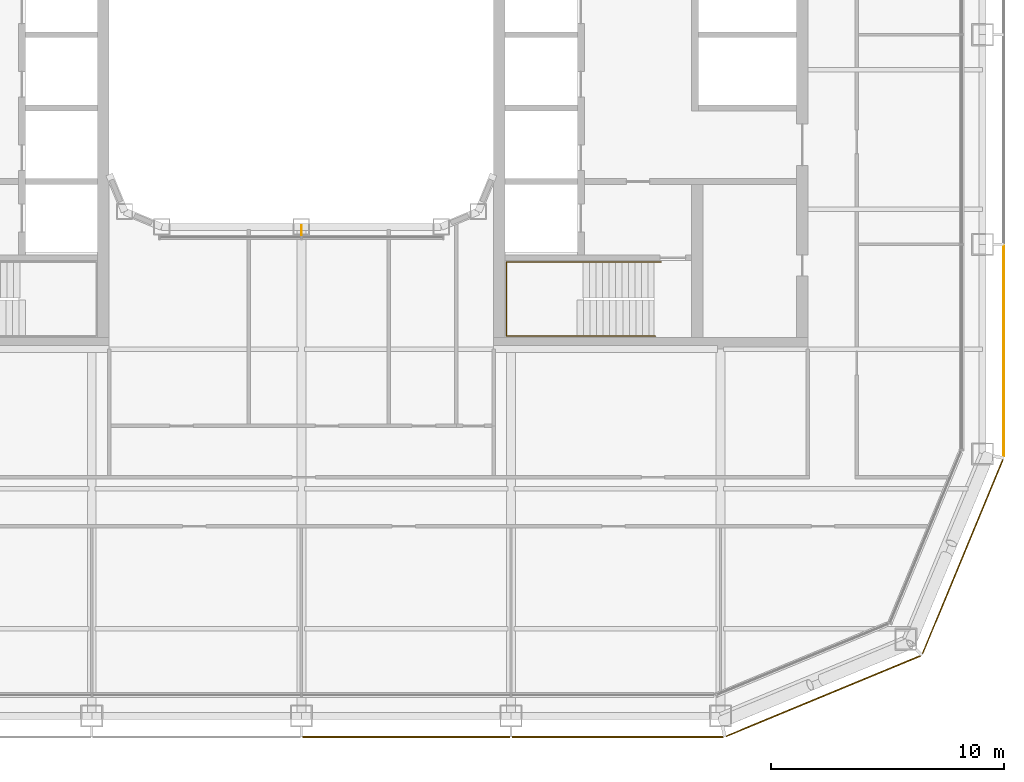
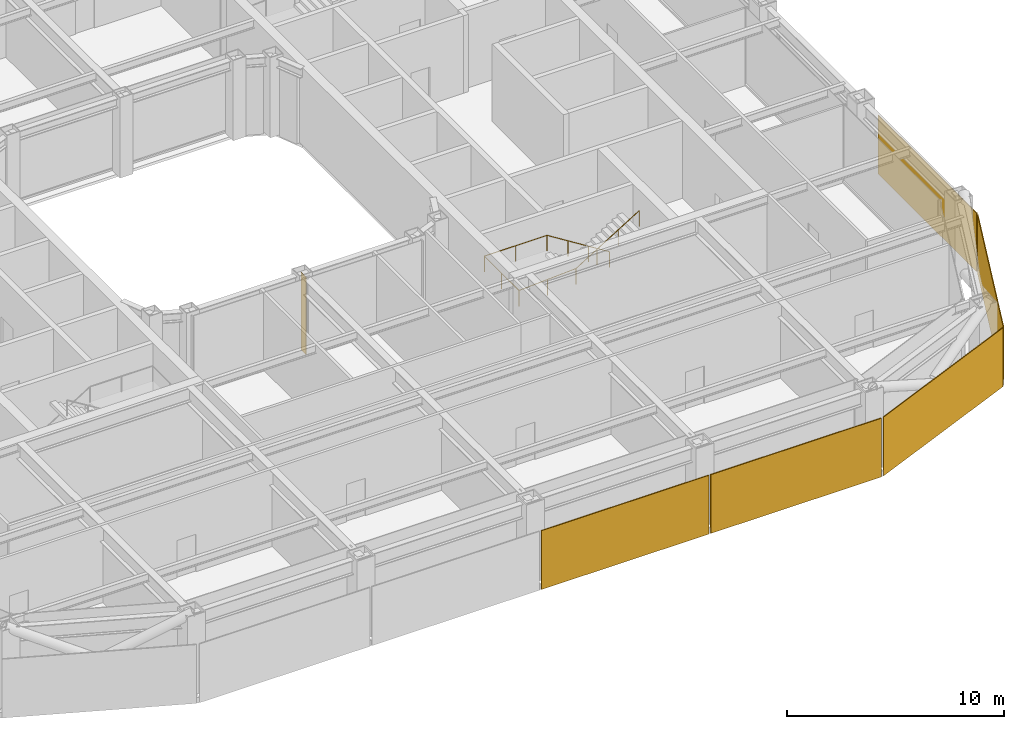
# One storey, part 18 of 21: 5 coverings, 1 railing, 1 shading device.
"""IFC4 building model written with IfcOpenShell, lengths in metres."""

from ifc_helpers import new_model, si_unit, direction, frame, origin, origin_2d, place, context, subcontext, project, spatial, rectangle, circle, extrude, material, layer, layer_set, type_object, element, save


model = new_model("IFC4")

# Units and contexts
model_context = context("Model", 3, precision=1e-05, world=origin(), true_north=direction((0.0, 1.0)))
body_context = subcontext(model_context, "Body", "Model", "MODEL_VIEW")
ifc_project = project(units=[si_unit("LENGTHUNIT", "METRE"), si_unit("AREAUNIT", "SQUARE_METRE"), si_unit("VOLUMEUNIT", "CUBIC_METRE"), si_unit("PLANEANGLEUNIT", "RADIAN"), si_unit("MASSUNIT", "GRAM", prefix="KILO")], contexts=[model_context])

# Site, building, storey
site_placement = place(None, origin())
site = spatial("IfcSite", under=ifc_project, at=site_placement, CompositionType="ELEMENT")
building_placement = place(site_placement, origin())
building = spatial("IfcBuilding", under=site, at=building_placement, Name="Siwar Civic Tower", CompositionType="ELEMENT")
storey_placement = place(building_placement, frame((0.0, 0.0, 140.699951171875)))
storey = spatial("IfcBuildingStorey", under=building, at=storey_placement, Name="L30", CompositionType="ELEMENT", Elevation=140.699951171875)

# Railing
ifc_material_1 = material(Name="Stainless steel", Category="steel")
railing_type = type_object("IfcRailingType", Name="CORE-STAIR-HANDRAIL", PredefinedType="HANDRAIL", material=ifc_material_1)
railing_placement = place(storey_placement, frame((15.449951171875, -9.758056640625, 0.173095703125)))
element("IfcRailing", 1, at=railing_placement, inside=storey, type_object=railing_type, Name="Stair handrail ST4", PredefinedType="HANDRAIL", context=body_context, shape_type="SweptSolid", body=[
    extrude(circle(Radius=0.02001953125, at=origin_2d()), frame((0.0, 0.0, 0.8798828125), z_axis=(-0.847063342986, 0.0, 0.531491950051), x_axis=(0.0, -1.0, 0.0)), (0.0, 0.0, 1.0), 3.90771484375),
    extrude(circle(Radius=0.02001953125, at=origin_2d()), frame((-3.31005859375, 0.0, 2.956787109375), z_axis=(-1.0, 0.0, 0.0), x_axis=(0.0, -1.0, 0.0)), (0.0, 0.0, 1.0), 3.331787109375),
    extrude(circle(Radius=0.02001953125, at=origin_2d()), frame((-6.641845703125, 0.0, 2.956787109375), z_axis=(0.0, -1.0, 0.0), x_axis=(1.0, 0.0, 0.0)), (0.0, 0.0, 1.0), 3.183837890625),
    extrude(circle(Radius=0.02001953125, at=origin_2d()), frame((-6.641845703125, -3.183837890625, 2.956787109375), z_axis=(0.99837434197, 0.0, 0.056997134106), x_axis=(0.0, 1.0, 0.0)), (0.0, 0.0, 1.0), 3.036865234375),
    extrude(circle(Radius=0.02001953125, at=origin_2d()), frame((-3.60986328125, -3.183837890625, 3.1298828125), z_axis=(0.850606129759, 0.0, 0.525803396734), x_axis=(0.0, 1.0, 0.0)), (0.0, 0.0, 1.0), 3.949951171875),
    extrude(circle(Radius=0.02001953125, at=origin_2d()), origin(), (0.0, 0.0, 1.0), 0.85986328125),
    extrude(circle(Radius=0.02001953125, at=origin_2d()), frame((-1.103271484375, 0.0, 0.6923828125)), (0.0, 0.0, 1.0), 0.85986328125),
    extrude(circle(Radius=0.02001953125, at=origin_2d()), frame((-2.206787109375, 0.0, 1.384521484375)), (0.0, 0.0, 1.0), 0.85986328125),
    extrude(circle(Radius=0.02001953125, at=origin_2d()), frame((-3.31005859375, 0.0, 2.076904296875)), (0.0, 0.0, 1.0), 0.85986328125),
    extrude(circle(Radius=0.02001953125, at=origin_2d()), frame((-4.97607421875, 0.0, 2.076904296875)), (0.0, 0.0, 1.0), 0.85986328125),
    extrude(circle(Radius=0.02001953125, at=origin_2d()), frame((-6.641845703125, 0.0, 2.076904296875)), (0.0, 0.0, 1.0), 0.85986328125),
    extrude(circle(Radius=0.02001953125, at=origin_2d()), frame((-6.641845703125, -1.591796875, 2.076904296875)), (0.0, 0.0, 1.0), 0.85986328125),
    extrude(circle(Radius=0.02001953125, at=origin_2d()), frame((-6.641845703125, -3.183837890625, 2.076904296875)), (0.0, 0.0, 1.0), 0.85986328125),
    extrude(circle(Radius=0.02001953125, at=origin_2d()), frame((-5.1259765625, -3.183837890625, 2.16357421875)), (0.0, 0.0, 1.0), 0.85986328125),
    extrude(circle(Radius=0.02001953125, at=origin_2d()), frame((-3.60986328125, -3.183837890625, 2.25)), (0.0, 0.0, 1.0), 0.85986328125),
    extrude(circle(Radius=0.02001953125, at=origin_2d()), frame((-2.489990234375, -3.183837890625, 2.9423828125)), (0.0, 0.0, 1.0), 0.85986328125),
    extrude(circle(Radius=0.02001953125, at=origin_2d()), frame((-1.369873046875, -3.183837890625, 3.634521484375)), (0.0, 0.0, 1.0), 0.85986328125),
    extrude(circle(Radius=0.02001953125, at=origin_2d()), frame((-0.25, -3.183837890625, 4.326904296875)), (0.0, 0.0, 1.0), 0.85986328125),
])

# Shading device
ifc_material_2 = material(Name="Aluminium 6063-T6", Category="aluminium")
ifc_layer_1 = layer(ifc_material_2, 0.02001953125)
ifc_layer_set_1 = layer_set([ifc_layer_1], Name="Aluminium 6063-T6")
shading_device_type = type_object("IfcShadingDeviceType", Name="ENV-FIN", PredefinedType="JALOUSIE", material=ifc_layer_set_1)
shading_device_placement = place(storey_placement, frame((0.0, -8.39501953125, 0.0), z_axis=(0.0, 0.0, 1.0), x_axis=(1.0, 0.0, 0.0)))
element("IfcShadingDevice", 2, at=shading_device_placement, inside=storey, type_object=shading_device_type, Name="SUNSHADE fin WS 1", PredefinedType="JALOUSIE", context=body_context, shape_type="SweptSolid", body=[
    extrude(rectangle(XDim=0.02001953125, YDim=0.449951171875, at=origin_2d()), origin(), (0.0, 0.0, 1.0), 4.35009765625),
])

# Coverings
ifc_material_3 = material(Name="Perforated aluminium cassette, pale metal", Category="aluminium")
ifc_layer_2 = layer(ifc_material_3, 0.0400390625)
ifc_layer_set_2 = layer_set([ifc_layer_2], Name="Perforated aluminium cassette, pale metal")
covering_type_1 = type_object("IfcCoveringType", Name="ENV-OUTER SKIN OS-1", PredefinedType="CLADDING", material=ifc_layer_set_2)
covering_1_placement = place(storey_placement, frame((30.14990234375, -13.57958984375, -0.14990234375), z_axis=(0.0, 0.0, 1.0), x_axis=(0.0, 1.0, 0.0)))
element("IfcCovering", 3, at=covering_1_placement, inside=storey, type_object=covering_type_1, Name="OUTER SKIN OS-1 E 1", PredefinedType="CLADDING", context=body_context, shape_type="SweptSolid", body=[
    extrude(rectangle(XDim=9.05908203125, YDim=0.0400390625, at=origin_2d()), origin(), (0.0, 0.0, 1.0), 3.300048828125),
])
ifc_material_4 = material(Name="Perforated aluminium cassette, pale metal", Category="aluminium")
ifc_layer_3 = layer(ifc_material_4, 0.044921875)
ifc_layer_set_3 = layer_set([ifc_layer_3], Name="Perforated aluminium cassette, pale metal")
covering_type_2 = type_object("IfcCoveringType", Name="ENV-OUTER SKIN OS-2", PredefinedType="CLADDING", material=ifc_layer_set_3)
covering_2_placement = place(storey_placement, frame((28.39697265625, -22.411376953125, -0.14990234375), z_axis=(0.0, 0.0, 1.0), x_axis=(0.382683432365, 0.923879532511, 0.0)))
element("IfcCovering", 4, at=covering_2_placement, inside=storey, type_object=covering_type_2, Name="OUTER SKIN OS-2 SE2 1", PredefinedType="CLADDING", context=body_context, shape_type="SweptSolid", body=[
    extrude(rectangle(XDim=9.022216796875, YDim=0.044921875, at=origin_2d()), origin(), (0.0, 0.0, 1.0), 3.300048828125),
])
ifc_material_5 = material(Name="Perforated aluminium cassette, pale metal", Category="aluminium")
ifc_layer_4 = layer(ifc_material_5, 0.050048828125)
ifc_layer_set_4 = layer_set([ifc_layer_4], Name="Perforated aluminium cassette, pale metal")
covering_type_3 = type_object("IfcCoveringType", Name="ENV-OUTER SKIN OS-3", PredefinedType="CLADDING", material=ifc_layer_set_4)
covering_3_placement = place(storey_placement, frame((22.411376953125, -28.39697265625, -0.14990234375), z_axis=(0.0, 0.0, 1.0), x_axis=(0.923879532511, 0.382683432365, 0.0)))
element("IfcCovering", 5, at=covering_3_placement, inside=storey, type_object=covering_type_3, Name="OUTER SKIN OS-3 SE1 1", PredefinedType="CLADDING", context=body_context, shape_type="SweptSolid", body=[
    extrude(rectangle(XDim=9.022216796875, YDim=0.050048828125, at=origin_2d()), origin(), (0.0, 0.0, 1.0), 3.300048828125),
])
ifc_material_6 = material(Name="Perforated aluminium cassette, pale metal", Category="aluminium")
ifc_layer_5 = layer(ifc_material_6, 0.054931640625)
ifc_layer_set_5 = layer_set([ifc_layer_5], Name="Perforated aluminium cassette, pale metal")
covering_type_4 = type_object("IfcCoveringType", Name="ENV-OUTER SKIN OS-4", PredefinedType="CLADDING", material=ifc_layer_set_5)
covering_4_placement = place(storey_placement, frame((4.5, -30.14990234375, -0.14990234375), z_axis=(0.0, 0.0, 1.0), x_axis=(1.0, 0.0, 0.0)))
element("IfcCovering", 6, at=covering_4_placement, inside=storey, type_object=covering_type_4, Name="OUTER SKIN OS-4 S 3", PredefinedType="CLADDING", context=body_context, shape_type="SweptSolid", body=[
    extrude(rectangle(XDim=8.89990234375, YDim=0.054931640625, at=origin_2d()), origin(), (0.0, 0.0, 1.0), 3.300048828125),
])
covering_5_placement = place(storey_placement, frame((13.57958984375, -30.14990234375, -0.14990234375), z_axis=(0.0, 0.0, 1.0), x_axis=(1.0, 0.0, 0.0)))
element("IfcCovering", 7, at=covering_5_placement, inside=storey, type_object=covering_type_4, Name="OUTER SKIN OS-4 S 4", PredefinedType="CLADDING", context=body_context, shape_type="SweptSolid", body=[
    extrude(rectangle(XDim=9.05908203125, YDim=0.054931640625, at=origin_2d()), origin(), (0.0, 0.0, 1.0), 3.300048828125),
])

save(model, "model.ifc")
